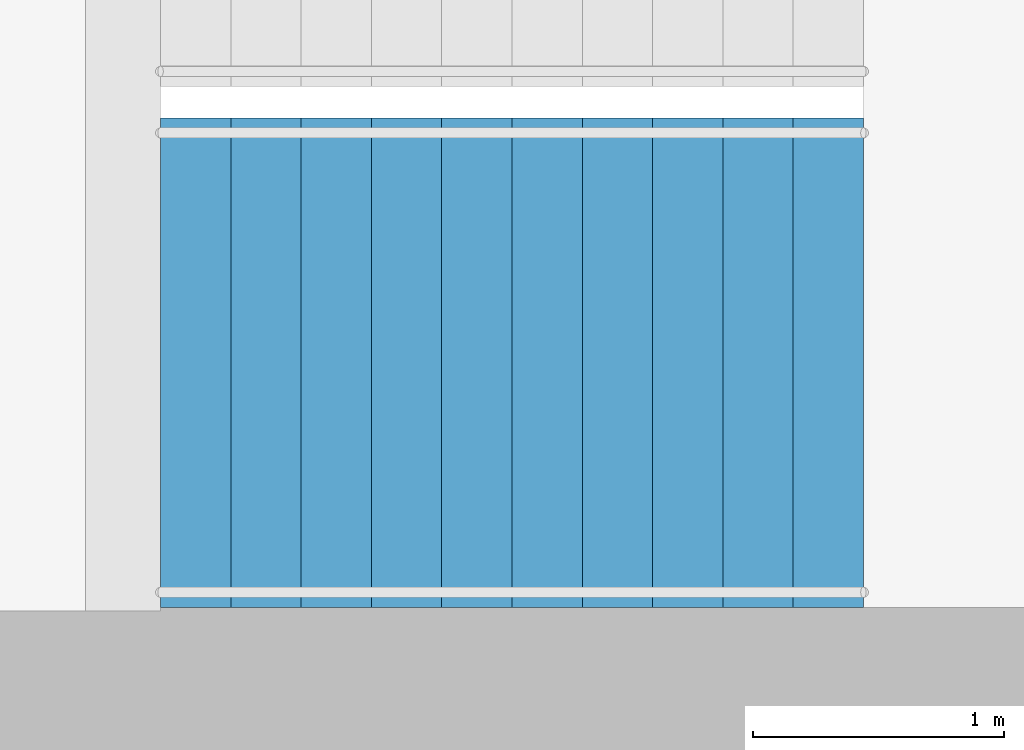
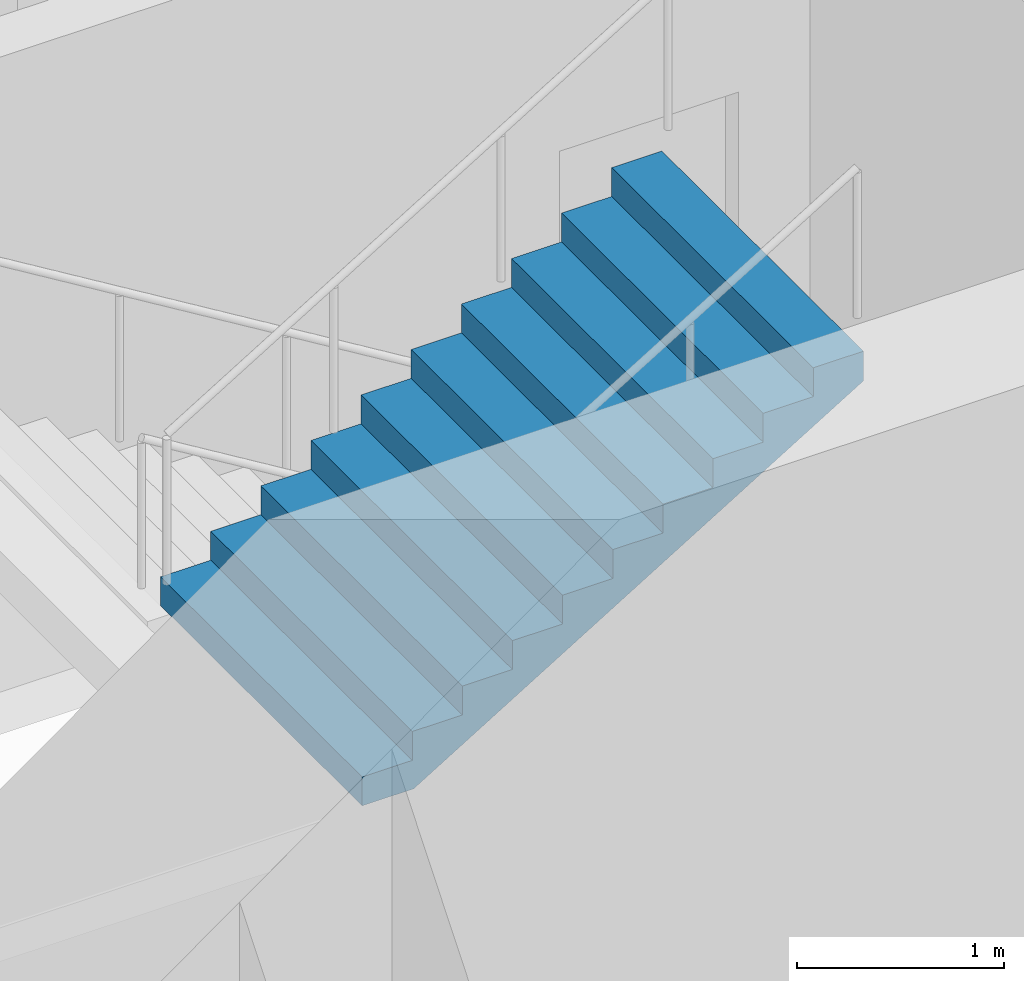
# One storey, part 21 of 23: 1 stair flight, 1 element without a shape of its own.
"""IFC4 building model written with IfcOpenShell, lengths in metres."""

from ifc_helpers import new_model, si_unit, direction, frame, origin, place, context, subcontext, project, spatial, triangles, material, type_object, element, aggregate, save


model = new_model("IFC4")

# Units and contexts
model_context = context("Model", 3, precision=1e-05, world=origin(), true_north=direction((0.0, 1.0)))
body_context = subcontext(model_context, "Body", "Model", "MODEL_VIEW")
ifc_project = project(units=[si_unit("LENGTHUNIT", "METRE"), si_unit("AREAUNIT", "SQUARE_METRE"), si_unit("VOLUMEUNIT", "CUBIC_METRE"), si_unit("PLANEANGLEUNIT", "RADIAN"), si_unit("MASSUNIT", "GRAM", prefix="KILO")], contexts=[model_context])

# Site, building, storey
site_placement = place(None, origin())
site = spatial("IfcSite", under=ifc_project, at=site_placement, CompositionType="ELEMENT")
building_placement = place(site_placement, origin())
building = spatial("IfcBuilding", under=site, at=building_placement, Name="Orbita Commons", CompositionType="ELEMENT")
storey_placement = place(building_placement, frame((0.0, 0.0, 174.85009765625)))
storey = spatial("IfcBuildingStorey", under=building, at=storey_placement, Name="L43", CompositionType="ELEMENT", Elevation=174.85009765625)

# Stair, stair flight
ifc_material_1 = material(Name="Precast concrete C40/50", Category="concrete")
stair_type = type_object("IfcStairType", Name="Exit stair S2 2 flights 11 risers 170", PredefinedType="HALF_TURN_STAIR", material=ifc_material_1)
stair_placement = place(storey_placement, origin())
stair = element("IfcStair", 1, at=stair_placement, inside=storey, type_object=stair_type, Name="Exit stair S2 L43", PredefinedType="HALF_TURN_STAIR")
ifc_material_2 = material(Name="Precast concrete C40/50", Category="concrete")
stair_flight_type = type_object("IfcStairFlightType", Name="Stair flight 11 risers 170 x 280", PredefinedType="STRAIGHT", material=ifc_material_2)
stair_flight_placement = place(storey_placement, frame((60.75, 27.199951171875, 1.875), z_axis=(0.0, 0.0, 1.0), x_axis=(1.0, 0.0, 0.0)))
stair_flight = element("IfcStairFlight", 2, at=stair_flight_placement, type_object=stair_flight_type, Name="S2 flight 2", NumberOfRisers=11, NumberOfTreads=10, PredefinedType="STRAIGHT", RiserHeight=0.170454545, TreadLength=0.28, context=body_context, shape_type="Tessellation", body=[
    triangles([(0.0, 0.974976, 0.0), (0.0, 0.974976, 0.021307), (0.0, 0.81248, 0.021307), (0.0, 0.81248, 0.0), (0.0, 0.649984, 0.021307), (0.0, 0.649984, 0.0), (0.0, 0.487488, 0.021307), (0.0, 0.487488, 0.0), (0.0, 0.324992, 0.021307), (0.0, 0.324992, 0.0), (0.0, 0.162496, 0.021307), (0.0, 0.162496, 0.0), (0.0, 0.0, 0.021307), (0.0, 0.0, 0.0), (0.0, -0.162496, 0.021307), (0.0, -0.162496, 0.0), (0.0, -0.324992, 0.021307), (0.0, -0.324992, 0.0), (0.0, -0.487488, 0.021307), (0.0, -0.487488, 0.0), (0.0, -0.649984, 0.021307), (0.0, -0.649984, 0.0), (0.0, -0.81248, 0.021307), (0.0, -0.81248, 0.0), (0.0, -0.974976, 0.021307), (0.0, -0.974976, 0.0), (0.0, 0.974976, 0.042614), (0.0, 0.81248, 0.042614), (0.0, 0.649984, 0.042614), (0.0, 0.487488, 0.042614), (0.0, 0.324992, 0.042614), (0.0, 0.162496, 0.042614), (0.0, 0.0, 0.042614), (0.0, -0.162496, 0.042614), (0.0, -0.324992, 0.042614), (0.0, -0.487488, 0.042614), (0.0, -0.649984, 0.042614), (0.0, -0.81248, 0.042614), (0.0, -0.974976, 0.042614), (0.0, 0.974976, 0.06392), (0.0, 0.81248, 0.06392), (0.0, 0.649984, 0.06392), (0.0, 0.487488, 0.06392), (0.0, 0.324992, 0.06392), (0.0, 0.162496, 0.06392), (0.0, 0.0, 0.06392), (0.0, -0.162496, 0.06392), (0.0, -0.324992, 0.06392), (0.0, -0.487488, 0.06392), (0.0, -0.649984, 0.06392), (0.0, -0.81248, 0.06392), (0.0, -0.974976, 0.06392), (0.0, 0.974976, 0.085227), (0.0, 0.81248, 0.085227), (0.0, 0.649984, 0.085227), (0.0, 0.487488, 0.085227), (0.0, 0.324992, 0.085227), (0.0, 0.162496, 0.085227), (0.0, 0.0, 0.085227), (0.0, -0.162496, 0.085227), (0.0, -0.324992, 0.085227), (0.0, -0.487488, 0.085227), (0.0, -0.649984, 0.085227), (0.0, -0.81248, 0.085227), (0.0, -0.974976, 0.085227), (0.0, 0.974976, 0.106534), (0.0, 0.81248, 0.106534), (0.0, 0.649984, 0.106534), (0.0, 0.487488, 0.106534), (0.0, 0.324992, 0.106534), (0.0, 0.162496, 0.106534), (0.0, 0.0, 0.106534), (0.0, -0.162496, 0.106534), (0.0, -0.324992, 0.106534), (0.0, -0.487488, 0.106534), (0.0, -0.649984, 0.106534), (0.0, -0.81248, 0.106534), (0.0, -0.974976, 0.106534), (0.0, 0.974976, 0.127841), (0.0, 0.81248, 0.127841), (0.0, 0.649984, 0.127841), (0.0, 0.487488, 0.127841), (0.0, 0.324992, 0.127841), (0.0, 0.162496, 0.127841), (0.0, 0.0, 0.127841), (0.0, -0.162496, 0.127841), (0.0, -0.324992, 0.127841), (0.0, -0.487488, 0.127841), (0.0, -0.649984, 0.127841), (0.0, -0.81248, 0.127841), (0.0, -0.974976, 0.127841), (0.0, 0.974976, 0.149148), (0.0, 0.81248, 0.149148), (0.0, 0.649984, 0.149148), (0.0, 0.487488, 0.149148), (0.0, 0.324992, 0.149148), (0.0, 0.162496, 0.149148), (0.0, 0.0, 0.149148), (0.0, -0.162496, 0.149148), (0.0, -0.324992, 0.149148), (0.0, -0.487488, 0.149148), (0.0, -0.649984, 0.149148), (0.0, -0.81248, 0.149148), (0.0, -0.974976, 0.149148), (0.0, 0.974976, 0.170455), (0.0, 0.81248, 0.170455), (0.0, 0.649984, 0.170455), (0.0, 0.487488, 0.170455), (0.0, 0.324992, 0.170455), (0.0, 0.162496, 0.170455), (0.0, 0.0, 0.170455), (0.0, -0.162496, 0.170455), (0.0, -0.324992, 0.170455), (0.0, -0.487488, 0.170455), (0.0, -0.649984, 0.170455), (0.0, -0.81248, 0.170455), (0.0, -0.974976, 0.170455), (0.28, 0.974976, 0.170455), (0.28, 0.81248, 0.170455), (0.28, 0.649984, 0.170455), (0.28, 0.487488, 0.170455), (0.28, 0.324992, 0.170455), (0.28, 0.162496, 0.170455), (0.28, 0.0, 0.170455), (0.28, -0.162496, 0.170455), (0.28, -0.324992, 0.170455), (0.28, -0.487488, 0.170455), (0.28, -0.649984, 0.170455), (0.28, -0.81248, 0.170455), (0.28, -0.974976, 0.170455), (0.28, 0.974976, 0.340909), (0.28, 0.81248, 0.340909), (0.28, 0.649984, 0.340909), (0.28, 0.487488, 0.340909), (0.28, 0.324992, 0.340909), (0.28, 0.162496, 0.340909), (0.28, 0.0, 0.340909), (0.28, -0.162496, 0.340909), (0.28, -0.324992, 0.340909), (0.28, -0.487488, 0.340909), (0.28, -0.649984, 0.340909), (0.28, -0.81248, 0.340909), (0.28, -0.974976, 0.340909), (0.56, 0.974976, 0.340909), (0.56, 0.81248, 0.340909), (0.56, 0.649984, 0.340909), (0.56, 0.487488, 0.340909), (0.56, 0.324992, 0.340909), (0.56, 0.162496, 0.340909), (0.56, 0.0, 0.340909), (0.56, -0.162496, 0.340909), (0.56, -0.324992, 0.340909), (0.56, -0.487488, 0.340909), (0.56, -0.649984, 0.340909), (0.56, -0.81248, 0.340909), (0.56, -0.974976, 0.340909), (0.56, 0.974976, 0.511364), (0.56, 0.81248, 0.511364), (0.56, 0.649984, 0.511364), (0.56, 0.487488, 0.511364), (0.56, 0.324992, 0.511364), (0.56, 0.162496, 0.511364), (0.56, 0.0, 0.511364), (0.56, -0.162496, 0.511364), (0.56, -0.324992, 0.511364), (0.56, -0.487488, 0.511364), (0.56, -0.649984, 0.511364), (0.56, -0.81248, 0.511364), (0.56, -0.974976, 0.511364), (0.84, 0.974976, 0.511364), (0.84, 0.81248, 0.511364), (0.84, 0.649984, 0.511364), (0.84, 0.487488, 0.511364), (0.84, 0.324992, 0.511364), (0.84, 0.162496, 0.511364), (0.84, 0.0, 0.511364), (0.84, -0.162496, 0.511364), (0.84, -0.324992, 0.511364), (0.84, -0.487488, 0.511364), (0.84, -0.649984, 0.511364), (0.84, -0.81248, 0.511364), (0.84, -0.974976, 0.511364), (0.84, 0.974976, 0.681818), (0.84, 0.81248, 0.681818), (0.84, 0.649984, 0.681818), (0.84, 0.487488, 0.681818), (0.84, 0.324992, 0.681818), (0.84, 0.162496, 0.681818), (0.84, 0.0, 0.681818), (0.84, -0.162496, 0.681818), (0.84, -0.324992, 0.681818), (0.84, -0.487488, 0.681818), (0.84, -0.649984, 0.681818), (0.84, -0.81248, 0.681818), (0.84, -0.974976, 0.681818), (1.12, 0.974976, 0.681818), (1.12, 0.81248, 0.681818), (1.12, 0.649984, 0.681818), (1.12, 0.487488, 0.681818), (1.12, 0.324992, 0.681818), (1.12, 0.162496, 0.681818), (1.12, 0.0, 0.681818), (1.12, -0.162496, 0.681818), (1.12, -0.324992, 0.681818), (1.12, -0.487488, 0.681818), (1.12, -0.649984, 0.681818), (1.12, -0.81248, 0.681818), (1.12, -0.974976, 0.681818), (1.12, 0.974976, 0.852273), (1.12, 0.81248, 0.852273), (1.12, 0.649984, 0.852273), (1.12, 0.487488, 0.852273), (1.12, 0.324992, 0.852273), (1.12, 0.162496, 0.852273), (1.12, 0.0, 0.852273), (1.12, -0.162496, 0.852273), (1.12, -0.324992, 0.852273), (1.12, -0.487488, 0.852273), (1.12, -0.649984, 0.852273), (1.12, -0.81248, 0.852273), (1.12, -0.974976, 0.852273), (1.4, 0.974976, 0.852273), (1.4, 0.81248, 0.852273), (1.4, 0.649984, 0.852273), (1.4, 0.487488, 0.852273), (1.4, 0.324992, 0.852273), (1.4, 0.162496, 0.852273), (1.4, 0.0, 0.852273), (1.4, -0.162496, 0.852273), (1.4, -0.324992, 0.852273), (1.4, -0.487488, 0.852273), (1.4, -0.649984, 0.852273), (1.4, -0.81248, 0.852273), (1.4, -0.974976, 0.852273), (1.4, 0.974976, 1.022727), (1.4, 0.81248, 1.022727), (1.4, 0.649984, 1.022727), (1.4, 0.487488, 1.022727), (1.4, 0.324992, 1.022727), (1.4, 0.162496, 1.022727), (1.4, 0.0, 1.022727), (1.4, -0.162496, 1.022727), (1.4, -0.324992, 1.022727), (1.4, -0.487488, 1.022727), (1.4, -0.649984, 1.022727), (1.4, -0.81248, 1.022727), (1.4, -0.974976, 1.022727), (1.68, 0.974976, 1.022727), (1.68, 0.81248, 1.022727), (1.68, 0.649984, 1.022727), (1.68, 0.487488, 1.022727), (1.68, 0.324992, 1.022727), (1.68, 0.162496, 1.022727), (1.68, 0.0, 1.022727), (1.68, -0.162496, 1.022727), (1.68, -0.324992, 1.022727), (1.68, -0.487488, 1.022727), (1.68, -0.649984, 1.022727), (1.68, -0.81248, 1.022727), (1.68, -0.974976, 1.022727), (1.68, 0.974976, 1.193182), (1.68, 0.81248, 1.193182), (1.68, 0.649984, 1.193182), (1.68, 0.487488, 1.193182), (1.68, 0.324992, 1.193182), (1.68, 0.162496, 1.193182), (1.68, 0.0, 1.193182), (1.68, -0.162496, 1.193182), (1.68, -0.324992, 1.193182), (1.68, -0.487488, 1.193182), (1.68, -0.649984, 1.193182), (1.68, -0.81248, 1.193182), (1.68, -0.974976, 1.193182), (1.96, 0.974976, 1.193182), (1.96, 0.81248, 1.193182), (1.96, 0.649984, 1.193182), (1.96, 0.487488, 1.193182), (1.96, 0.324992, 1.193182), (1.96, 0.162496, 1.193182), (1.96, 0.0, 1.193182), (1.96, -0.162496, 1.193182), (1.96, -0.324992, 1.193182), (1.96, -0.487488, 1.193182), (1.96, -0.649984, 1.193182), (1.96, -0.81248, 1.193182), (1.96, -0.974976, 1.193182), (1.96, 0.974976, 1.363636), (1.96, 0.81248, 1.363636), (1.96, 0.649984, 1.363636), (1.96, 0.487488, 1.363636), (1.96, 0.324992, 1.363636), (1.96, 0.162496, 1.363636), (1.96, 0.0, 1.363636), (1.96, -0.162496, 1.363636), (1.96, -0.324992, 1.363636), (1.96, -0.487488, 1.363636), (1.96, -0.649984, 1.363636), (1.96, -0.81248, 1.363636), (1.96, -0.974976, 1.363636), (2.24, 0.974976, 1.363636), (2.24, 0.81248, 1.363636), (2.24, 0.649984, 1.363636), (2.24, 0.487488, 1.363636), (2.24, 0.324992, 1.363636), (2.24, 0.162496, 1.363636), (2.24, 0.0, 1.363636), (2.24, -0.162496, 1.363636), (2.24, -0.324992, 1.363636), (2.24, -0.487488, 1.363636), (2.24, -0.649984, 1.363636), (2.24, -0.81248, 1.363636), (2.24, -0.974976, 1.363636), (2.24, 0.974976, 1.534091), (2.24, 0.81248, 1.534091), (2.24, 0.649984, 1.534091), (2.24, 0.487488, 1.534091), (2.24, 0.324992, 1.534091), (2.24, 0.162496, 1.534091), (2.24, 0.0, 1.534091), (2.24, -0.162496, 1.534091), (2.24, -0.324992, 1.534091), (2.24, -0.487488, 1.534091), (2.24, -0.649984, 1.534091), (2.24, -0.81248, 1.534091), (2.24, -0.974976, 1.534091), (2.52, 0.974976, 1.534091), (2.52, 0.81248, 1.534091), (2.52, 0.649984, 1.534091), (2.52, 0.487488, 1.534091), (2.52, 0.324992, 1.534091), (2.52, 0.162496, 1.534091), (2.52, 0.0, 1.534091), (2.52, -0.162496, 1.534091), (2.52, -0.324992, 1.534091), (2.52, -0.487488, 1.534091), (2.52, -0.649984, 1.534091), (2.52, -0.81248, 1.534091), (2.52, -0.974976, 1.534091), (2.52, 0.974976, 1.704545), (2.52, 0.81248, 1.704545), (2.52, 0.649984, 1.704545), (2.52, 0.487488, 1.704545), (2.52, 0.324992, 1.704545), (2.52, 0.162496, 1.704545), (2.52, 0.0, 1.704545), (2.52, -0.162496, 1.704545), (2.52, -0.324992, 1.704545), (2.52, -0.487488, 1.704545), (2.52, -0.649984, 1.704545), (2.52, -0.81248, 1.704545), (2.52, -0.974976, 1.704545), (2.8, 0.974976, 1.704545), (2.8, 0.81248, 1.704545), (2.8, 0.649984, 1.704545), (2.8, 0.487488, 1.704545), (2.8, 0.324992, 1.704545), (2.8, 0.162496, 1.704545), (2.8, 0.0, 1.704545), (2.8, -0.162496, 1.704545), (2.8, -0.324992, 1.704545), (2.8, -0.487488, 1.704545), (2.8, -0.649984, 1.704545), (2.8, -0.81248, 1.704545), (2.8, -0.974976, 1.704545), (2.8, 0.974976, 1.682609), (2.8, 0.81248, 1.682609), (2.8, 0.649984, 1.682609), (2.8, 0.487488, 1.682609), (2.8, 0.324992, 1.682609), (2.8, 0.162496, 1.682609), (2.8, 0.0, 1.682609), (2.8, -0.162496, 1.682609), (2.8, -0.324992, 1.682609), (2.8, -0.487488, 1.682609), (2.8, -0.649984, 1.682609), (2.8, -0.81248, 1.682609), (2.8, -0.974976, 1.682609), (2.8, 0.974976, 1.660672), (2.8, 0.81248, 1.660672), (2.8, 0.649984, 1.660672), (2.8, 0.487488, 1.660672), (2.8, 0.324992, 1.660672), (2.8, 0.162496, 1.660672), (2.8, 0.0, 1.660672), (2.8, -0.162496, 1.660672), (2.8, -0.324992, 1.660672), (2.8, -0.487488, 1.660672), (2.8, -0.649984, 1.660672), (2.8, -0.81248, 1.660672), (2.8, -0.974976, 1.660672), (2.8, 0.974976, 1.638735), (2.8, 0.81248, 1.638735), (2.8, 0.649984, 1.638735), (2.8, 0.487488, 1.638735), (2.8, 0.324992, 1.638735), (2.8, 0.162496, 1.638735), (2.8, 0.0, 1.638735), (2.8, -0.162496, 1.638735), (2.8, -0.324992, 1.638735), (2.8, -0.487488, 1.638735), (2.8, -0.649984, 1.638735), (2.8, -0.81248, 1.638735), (2.8, -0.974976, 1.638735), (2.8, 0.974976, 1.616798), (2.8, 0.81248, 1.616798), (2.8, 0.649984, 1.616798), (2.8, 0.487488, 1.616798), (2.8, 0.324992, 1.616798), (2.8, 0.162496, 1.616798), (2.8, 0.0, 1.616798), (2.8, -0.162496, 1.616798), (2.8, -0.324992, 1.616798), (2.8, -0.487488, 1.616798), (2.8, -0.649984, 1.616798), (2.8, -0.81248, 1.616798), (2.8, -0.974976, 1.616798), (2.8, 0.974976, 1.594861), (2.8, 0.81248, 1.594861), (2.8, 0.649984, 1.594861), (2.8, 0.487488, 1.594861), (2.8, 0.324992, 1.594861), (2.8, 0.162496, 1.594861), (2.8, 0.0, 1.594861), (2.8, -0.162496, 1.594861), (2.8, -0.324992, 1.594861), (2.8, -0.487488, 1.594861), (2.8, -0.649984, 1.594861), (2.8, -0.81248, 1.594861), (2.8, -0.974976, 1.594861), (2.8, 0.974976, 1.572925), (2.8, 0.81248, 1.572925), (2.8, 0.649984, 1.572925), (2.8, 0.487488, 1.572925), (2.8, 0.324992, 1.572925), (2.8, 0.162496, 1.572925), (2.8, 0.0, 1.572925), (2.8, -0.162496, 1.572925), (2.8, -0.324992, 1.572925), (2.8, -0.487488, 1.572925), (2.8, -0.649984, 1.572925), (2.8, -0.81248, 1.572925), (2.8, -0.974976, 1.572925), (2.8, 0.974976, 1.550988), (2.8, 0.81248, 1.550988), (2.8, 0.649984, 1.550988), (2.8, 0.487488, 1.550988), (2.8, 0.324992, 1.550988), (2.8, 0.162496, 1.550988), (2.8, 0.0, 1.550988), (2.8, -0.162496, 1.550988), (2.8, -0.324992, 1.550988), (2.8, -0.487488, 1.550988), (2.8, -0.649984, 1.550988), (2.8, -0.81248, 1.550988), (2.8, -0.974976, 1.550988), (2.8, 0.974976, 1.529051), (2.8, 0.81248, 1.529051), (2.8, 0.649984, 1.529051), (2.8, 0.487488, 1.529051), (2.8, 0.324992, 1.529051), (2.8, 0.162496, 1.529051), (2.8, 0.0, 1.529051), (2.8, -0.162496, 1.529051), (2.8, -0.324992, 1.529051), (2.8, -0.487488, 1.529051), (2.8, -0.649984, 1.529051), (2.8, -0.81248, 1.529051), (2.8, -0.974976, 1.529051), (0.288279, 0.974976, 0.0), (0.288279, 0.81248, 0.0), (0.288279, 0.649984, 0.0), (0.288279, 0.487488, 0.0), (0.288279, 0.324992, 0.0), (0.288279, 0.162496, 0.0), (0.288279, 0.0, 0.0), (0.288279, -0.162496, 0.0), (0.288279, -0.324992, 0.0), (0.288279, -0.487488, 0.0), (0.288279, -0.649984, 0.0), (0.288279, -0.81248, 0.0), (0.288279, -0.974976, 0.0)], [[3, 2, 1], [4, 3, 1], [5, 3, 4], [6, 5, 4], [7, 5, 6], [8, 7, 6], [9, 7, 8], [10, 9, 8], [11, 9, 10], [12, 11, 10], [13, 11, 12], [14, 13, 12], [15, 13, 14], [16, 15, 14], [17, 15, 16], [18, 17, 16], [19, 17, 18], [20, 19, 18], [21, 19, 20], [22, 21, 20], [23, 21, 22], [24, 23, 22], [25, 23, 24], [26, 25, 24], [28, 27, 2], [3, 28, 2], [29, 28, 3], [5, 29, 3], [30, 29, 5], [7, 30, 5], [31, 30, 7], [9, 31, 7], [32, 31, 9], [11, 32, 9], [33, 32, 11], [13, 33, 11], [34, 33, 13], [15, 34, 13], [35, 34, 15], [17, 35, 15], [36, 35, 17], [19, 36, 17], [37, 36, 19], [21, 37, 19], [38, 37, 21], [23, 38, 21], [39, 38, 23], [25, 39, 23], [41, 40, 27], [28, 41, 27], [42, 41, 28], [29, 42, 28], [43, 42, 29], [30, 43, 29], [44, 43, 30], [31, 44, 30], [45, 44, 31], [32, 45, 31], [46, 45, 32], [33, 46, 32], [47, 46, 33], [34, 47, 33], [48, 47, 34], [35, 48, 34], [49, 48, 35], [36, 49, 35], [50, 49, 36], [37, 50, 36], [51, 50, 37], [38, 51, 37], [52, 51, 38], [39, 52, 38], [54, 53, 40], [41, 54, 40], [55, 54, 41], [42, 55, 41], [56, 55, 42], [43, 56, 42], [57, 56, 43], [44, 57, 43], [58, 57, 44], [45, 58, 44], [59, 58, 45], [46, 59, 45], [60, 59, 46], [47, 60, 46], [61, 60, 47], [48, 61, 47], [62, 61, 48], [49, 62, 48], [63, 62, 49], [50, 63, 49], [64, 63, 50], [51, 64, 50], [65, 64, 51], [52, 65, 51], [67, 66, 53], [54, 67, 53], [68, 67, 54], [55, 68, 54], [69, 68, 55], [56, 69, 55], [70, 69, 56], [57, 70, 56], [71, 70, 57], [58, 71, 57], [72, 71, 58], [59, 72, 58], [73, 72, 59], [60, 73, 59], [74, 73, 60], [61, 74, 60], [75, 74, 61], [62, 75, 61], [76, 75, 62], [63, 76, 62], [77, 76, 63], [64, 77, 63], [78, 77, 64], [65, 78, 64], [80, 79, 66], [67, 80, 66], [81, 80, 67], [68, 81, 67], [82, 81, 68], [69, 82, 68], [83, 82, 69], [70, 83, 69], [84, 83, 70], [71, 84, 70], [85, 84, 71], [72, 85, 71], [86, 85, 72], [73, 86, 72], [87, 86, 73], [74, 87, 73], [88, 87, 74], [75, 88, 74], [89, 88, 75], [76, 89, 75], [90, 89, 76], [77, 90, 76], [91, 90, 77], [78, 91, 77], [93, 92, 79], [80, 93, 79], [94, 93, 80], [81, 94, 80], [95, 94, 81], [82, 95, 81], [96, 95, 82], [83, 96, 82], [97, 96, 83], [84, 97, 83], [98, 97, 84], [85, 98, 84], [99, 98, 85], [86, 99, 85], [100, 99, 86], [87, 100, 86], [101, 100, 87], [88, 101, 87], [102, 101, 88], [89, 102, 88], [103, 102, 89], [90, 103, 89], [104, 103, 90], [91, 104, 90], [106, 105, 92], [93, 106, 92], [107, 106, 93], [94, 107, 93], [108, 107, 94], [95, 108, 94], [109, 108, 95], [96, 109, 95], [110, 109, 96], [97, 110, 96], [111, 110, 97], [98, 111, 97], [112, 111, 98], [99, 112, 98], [113, 112, 99], [100, 113, 99], [114, 113, 100], [101, 114, 100], [115, 114, 101], [102, 115, 101], [116, 115, 102], [103, 116, 102], [117, 116, 103], [104, 117, 103], [119, 118, 105], [106, 119, 105], [120, 119, 106], [107, 120, 106], [121, 120, 107], [108, 121, 107], [122, 121, 108], [109, 122, 108], [123, 122, 109], [110, 123, 109], [124, 123, 110], [111, 124, 110], [125, 124, 111], [112, 125, 111], [126, 125, 112], [113, 126, 112], [127, 126, 113], [114, 127, 113], [128, 127, 114], [115, 128, 114], [129, 128, 115], [116, 129, 115], [130, 129, 116], [117, 130, 116], [132, 131, 118], [119, 132, 118], [133, 132, 119], [120, 133, 119], [134, 133, 120], [121, 134, 120], [135, 134, 121], [122, 135, 121], [136, 135, 122], [123, 136, 122], [137, 136, 123], [124, 137, 123], [138, 137, 124], [125, 138, 124], [139, 138, 125], [126, 139, 125], [140, 139, 126], [127, 140, 126], [141, 140, 127], [128, 141, 127], [142, 141, 128], [129, 142, 128], [143, 142, 129], [130, 143, 129], [145, 144, 131], [132, 145, 131], [146, 145, 132], [133, 146, 132], [147, 146, 133], [134, 147, 133], [148, 147, 134], [135, 148, 134], [149, 148, 135], [136, 149, 135], [150, 149, 136], [137, 150, 136], [151, 150, 137], [138, 151, 137], [152, 151, 138], [139, 152, 138], [153, 152, 139], [140, 153, 139], [154, 153, 140], [141, 154, 140], [155, 154, 141], [142, 155, 141], [156, 155, 142], [143, 156, 142], [158, 157, 144], [145, 158, 144], [159, 158, 145], [146, 159, 145], [160, 159, 146], [147, 160, 146], [161, 160, 147], [148, 161, 147], [162, 161, 148], [149, 162, 148], [163, 162, 149], [150, 163, 149], [164, 163, 150], [151, 164, 150], [165, 164, 151], [152, 165, 151], [166, 165, 152], [153, 166, 152], [167, 166, 153], [154, 167, 153], [168, 167, 154], [155, 168, 154], [169, 168, 155], [156, 169, 155], [171, 170, 157], [158, 171, 157], [172, 171, 158], [159, 172, 158], [173, 172, 159], [160, 173, 159], [174, 173, 160], [161, 174, 160], [175, 174, 161], [162, 175, 161], [176, 175, 162], [163, 176, 162], [177, 176, 163], [164, 177, 163], [178, 177, 164], [165, 178, 164], [179, 178, 165], [166, 179, 165], [180, 179, 166], [167, 180, 166], [181, 180, 167], [168, 181, 167], [182, 181, 168], [169, 182, 168], [184, 183, 170], [171, 184, 170], [185, 184, 171], [172, 185, 171], [186, 185, 172], [173, 186, 172], [187, 186, 173], [174, 187, 173], [188, 187, 174], [175, 188, 174], [189, 188, 175], [176, 189, 175], [190, 189, 176], [177, 190, 176], [191, 190, 177], [178, 191, 177], [192, 191, 178], [179, 192, 178], [193, 192, 179], [180, 193, 179], [194, 193, 180], [181, 194, 180], [195, 194, 181], [182, 195, 181], [197, 196, 183], [184, 197, 183], [198, 197, 184], [185, 198, 184], [199, 198, 185], [186, 199, 185], [200, 199, 186], [187, 200, 186], [201, 200, 187], [188, 201, 187], [202, 201, 188], [189, 202, 188], [203, 202, 189], [190, 203, 189], [204, 203, 190], [191, 204, 190], [205, 204, 191], [192, 205, 191], [206, 205, 192], [193, 206, 192], [207, 206, 193], [194, 207, 193], [208, 207, 194], [195, 208, 194], [210, 209, 196], [197, 210, 196], [211, 210, 197], [198, 211, 197], [212, 211, 198], [199, 212, 198], [213, 212, 199], [200, 213, 199], [214, 213, 200], [201, 214, 200], [215, 214, 201], [202, 215, 201], [216, 215, 202], [203, 216, 202], [217, 216, 203], [204, 217, 203], [218, 217, 204], [205, 218, 204], [219, 218, 205], [206, 219, 205], [220, 219, 206], [207, 220, 206], [221, 220, 207], [208, 221, 207], [223, 222, 209], [210, 223, 209], [224, 223, 210], [211, 224, 210], [225, 224, 211], [212, 225, 211], [226, 225, 212], [213, 226, 212], [227, 226, 213], [214, 227, 213], [228, 227, 214], [215, 228, 214], [229, 228, 215], [216, 229, 215], [230, 229, 216], [217, 230, 216], [231, 230, 217], [218, 231, 217], [232, 231, 218], [219, 232, 218], [233, 232, 219], [220, 233, 219], [234, 233, 220], [221, 234, 220], [236, 235, 222], [223, 236, 222], [237, 236, 223], [224, 237, 223], [238, 237, 224], [225, 238, 224], [239, 238, 225], [226, 239, 225], [240, 239, 226], [227, 240, 226], [241, 240, 227], [228, 241, 227], [242, 241, 228], [229, 242, 228], [243, 242, 229], [230, 243, 229], [244, 243, 230], [231, 244, 230], [245, 244, 231], [232, 245, 231], [246, 245, 232], [233, 246, 232], [247, 246, 233], [234, 247, 233], [249, 248, 235], [236, 249, 235], [250, 249, 236], [237, 250, 236], [251, 250, 237], [238, 251, 237], [252, 251, 238], [239, 252, 238], [253, 252, 239], [240, 253, 239], [254, 253, 240], [241, 254, 240], [255, 254, 241], [242, 255, 241], [256, 255, 242], [243, 256, 242], [257, 256, 243], [244, 257, 243], [258, 257, 244], [245, 258, 244], [259, 258, 245], [246, 259, 245], [260, 259, 246], [247, 260, 246], [262, 261, 248], [249, 262, 248], [263, 262, 249], [250, 263, 249], [264, 263, 250], [251, 264, 250], [265, 264, 251], [252, 265, 251], [266, 265, 252], [253, 266, 252], [267, 266, 253], [254, 267, 253], [268, 267, 254], [255, 268, 254], [269, 268, 255], [256, 269, 255], [270, 269, 256], [257, 270, 256], [271, 270, 257], [258, 271, 257], [272, 271, 258], [259, 272, 258], [273, 272, 259], [260, 273, 259], [275, 274, 261], [262, 275, 261], [276, 275, 262], [263, 276, 262], [277, 276, 263], [264, 277, 263], [278, 277, 264], [265, 278, 264], [279, 278, 265], [266, 279, 265], [280, 279, 266], [267, 280, 266], [281, 280, 267], [268, 281, 267], [282, 281, 268], [269, 282, 268], [283, 282, 269], [270, 283, 269], [284, 283, 270], [271, 284, 270], [285, 284, 271], [272, 285, 271], [286, 285, 272], [273, 286, 272], [288, 287, 274], [275, 288, 274], [289, 288, 275], [276, 289, 275], [290, 289, 276], [277, 290, 276], [291, 290, 277], [278, 291, 277], [292, 291, 278], [279, 292, 278], [293, 292, 279], [280, 293, 279], [294, 293, 280], [281, 294, 280], [295, 294, 281], [282, 295, 281], [296, 295, 282], [283, 296, 282], [297, 296, 283], [284, 297, 283], [298, 297, 284], [285, 298, 284], [299, 298, 285], [286, 299, 285], [301, 300, 287], [288, 301, 287], [302, 301, 288], [289, 302, 288], [303, 302, 289], [290, 303, 289], [304, 303, 290], [291, 304, 290], [305, 304, 291], [292, 305, 291], [306, 305, 292], [293, 306, 292], [307, 306, 293], [294, 307, 293], [308, 307, 294], [295, 308, 294], [309, 308, 295], [296, 309, 295], [310, 309, 296], [297, 310, 296], [311, 310, 297], [298, 311, 297], [312, 311, 298], [299, 312, 298], [314, 313, 300], [301, 314, 300], [315, 314, 301], [302, 315, 301], [316, 315, 302], [303, 316, 302], [317, 316, 303], [304, 317, 303], [318, 317, 304], [305, 318, 304], [319, 318, 305], [306, 319, 305], [320, 319, 306], [307, 320, 306], [321, 320, 307], [308, 321, 307], [322, 321, 308], [309, 322, 308], [323, 322, 309], [310, 323, 309], [324, 323, 310], [311, 324, 310], [325, 324, 311], [312, 325, 311], [327, 326, 313], [314, 327, 313], [328, 327, 314], [315, 328, 314], [329, 328, 315], [316, 329, 315], [330, 329, 316], [317, 330, 316], [331, 330, 317], [318, 331, 317], [332, 331, 318], [319, 332, 318], [333, 332, 319], [320, 333, 319], [334, 333, 320], [321, 334, 320], [335, 334, 321], [322, 335, 321], [336, 335, 322], [323, 336, 322], [337, 336, 323], [324, 337, 323], [338, 337, 324], [325, 338, 324], [340, 339, 326], [327, 340, 326], [341, 340, 327], [328, 341, 327], [342, 341, 328], [329, 342, 328], [343, 342, 329], [330, 343, 329], [344, 343, 330], [331, 344, 330], [345, 344, 331], [332, 345, 331], [346, 345, 332], [333, 346, 332], [347, 346, 333], [334, 347, 333], [348, 347, 334], [335, 348, 334], [349, 348, 335], [336, 349, 335], [350, 349, 336], [337, 350, 336], [351, 350, 337], [338, 351, 337], [353, 352, 339], [340, 353, 339], [354, 353, 340], [341, 354, 340], [355, 354, 341], [342, 355, 341], [356, 355, 342], [343, 356, 342], [357, 356, 343], [344, 357, 343], [358, 357, 344], [345, 358, 344], [359, 358, 345], [346, 359, 345], [360, 359, 346], [347, 360, 346], [361, 360, 347], [348, 361, 347], [362, 361, 348], [349, 362, 348], [363, 362, 349], [350, 363, 349], [364, 363, 350], [351, 364, 350], [366, 365, 352], [353, 366, 352], [367, 366, 353], [354, 367, 353], [368, 367, 354], [355, 368, 354], [369, 368, 355], [356, 369, 355], [370, 369, 356], [357, 370, 356], [371, 370, 357], [358, 371, 357], [372, 371, 358], [359, 372, 358], [373, 372, 359], [360, 373, 359], [374, 373, 360], [361, 374, 360], [375, 374, 361], [362, 375, 361], [376, 375, 362], [363, 376, 362], [377, 376, 363], [364, 377, 363], [379, 378, 365], [366, 379, 365], [380, 379, 366], [367, 380, 366], [381, 380, 367], [368, 381, 367], [382, 381, 368], [369, 382, 368], [383, 382, 369], [370, 383, 369], [384, 383, 370], [371, 384, 370], [385, 384, 371], [372, 385, 371], [386, 385, 372], [373, 386, 372], [387, 386, 373], [374, 387, 373], [388, 387, 374], [375, 388, 374], [389, 388, 375], [376, 389, 375], [390, 389, 376], [377, 390, 376], [392, 391, 378], [379, 392, 378], [393, 392, 379], [380, 393, 379], [394, 393, 380], [381, 394, 380], [395, 394, 381], [382, 395, 381], [396, 395, 382], [383, 396, 382], [397, 396, 383], [384, 397, 383], [398, 397, 384], [385, 398, 384], [399, 398, 385], [386, 399, 385], [400, 399, 386], [387, 400, 386], [401, 400, 387], [388, 401, 387], [402, 401, 388], [389, 402, 388], [403, 402, 389], [390, 403, 389], [405, 404, 391], [392, 405, 391], [406, 405, 392], [393, 406, 392], [407, 406, 393], [394, 407, 393], [408, 407, 394], [395, 408, 394], [409, 408, 395], [396, 409, 395], [410, 409, 396], [397, 410, 396], [411, 410, 397], [398, 411, 397], [412, 411, 398], [399, 412, 398], [413, 412, 399], [400, 413, 399], [414, 413, 400], [401, 414, 400], [415, 414, 401], [402, 415, 401], [416, 415, 402], [403, 416, 402], [418, 417, 404], [405, 418, 404], [419, 418, 405], [406, 419, 405], [420, 419, 406], [407, 420, 406], [421, 420, 407], [408, 421, 407], [422, 421, 408], [409, 422, 408], [423, 422, 409], [410, 423, 409], [424, 423, 410], [411, 424, 410], [425, 424, 411], [412, 425, 411], [426, 425, 412], [413, 426, 412], [427, 426, 413], [414, 427, 413], [428, 427, 414], [415, 428, 414], [429, 428, 415], [416, 429, 415], [431, 430, 417], [418, 431, 417], [432, 431, 418], [419, 432, 418], [433, 432, 419], [420, 433, 419], [434, 433, 420], [421, 434, 420], [435, 434, 421], [422, 435, 421], [436, 435, 422], [423, 436, 422], [437, 436, 423], [424, 437, 423], [438, 437, 424], [425, 438, 424], [439, 438, 425], [426, 439, 425], [440, 439, 426], [427, 440, 426], [441, 440, 427], [428, 441, 427], [442, 441, 428], [429, 442, 428], [444, 443, 430], [431, 444, 430], [445, 444, 431], [432, 445, 431], [446, 445, 432], [433, 446, 432], [447, 446, 433], [434, 447, 433], [448, 447, 434], [435, 448, 434], [449, 448, 435], [436, 449, 435], [450, 449, 436], [437, 450, 436], [451, 450, 437], [438, 451, 437], [452, 451, 438], [439, 452, 438], [453, 452, 439], [440, 453, 439], [454, 453, 440], [441, 454, 440], [455, 454, 441], [442, 455, 441], [457, 456, 443], [444, 457, 443], [458, 457, 444], [445, 458, 444], [459, 458, 445], [446, 459, 445], [460, 459, 446], [447, 460, 446], [461, 460, 447], [448, 461, 447], [462, 461, 448], [449, 462, 448], [463, 462, 449], [450, 463, 449], [464, 463, 450], [451, 464, 450], [465, 464, 451], [452, 465, 451], [466, 465, 452], [453, 466, 452], [467, 466, 453], [454, 467, 453], [468, 467, 454], [455, 468, 454], [470, 469, 456], [457, 470, 456], [471, 470, 457], [458, 471, 457], [472, 471, 458], [459, 472, 458], [473, 472, 459], [460, 473, 459], [474, 473, 460], [461, 474, 460], [475, 474, 461], [462, 475, 461], [476, 475, 462], [463, 476, 462], [477, 476, 463], [464, 477, 463], [478, 477, 464], [465, 478, 464], [479, 478, 465], [466, 479, 465], [480, 479, 466], [467, 480, 466], [481, 480, 467], [468, 481, 467], [4, 1, 469], [470, 4, 469], [6, 4, 470], [471, 6, 470], [8, 6, 471], [472, 8, 471], [10, 8, 472], [473, 10, 472], [12, 10, 473], [474, 12, 473], [14, 12, 474], [475, 14, 474], [16, 14, 475], [476, 16, 475], [18, 16, 476], [477, 18, 476], [20, 18, 477], [478, 20, 477], [22, 20, 478], [479, 22, 478], [24, 22, 479], [480, 24, 479], [26, 24, 480], [481, 26, 480], [456, 469, 1], [26, 481, 468], [443, 456, 1], [26, 468, 455], [430, 443, 1], [26, 455, 442], [417, 430, 1], [26, 442, 429], [404, 417, 1], [26, 429, 416], [391, 404, 1], [26, 416, 403], [378, 391, 1], [26, 403, 390], [365, 378, 1], [26, 390, 377], [339, 352, 365], [377, 364, 351], [326, 339, 365], [377, 351, 338], [300, 313, 326], [338, 325, 312], [300, 326, 365], [377, 338, 312], [274, 287, 300], [312, 299, 286], [274, 300, 365], [377, 312, 286], [248, 261, 274], [286, 273, 260], [248, 274, 365], [377, 286, 260], [222, 235, 248], [260, 247, 234], [222, 248, 365], [377, 260, 234], [196, 209, 222], [234, 221, 208], [196, 222, 365], [377, 234, 208], [170, 183, 196], [208, 195, 182], [170, 196, 365], [377, 208, 182], [144, 157, 170], [182, 169, 156], [144, 170, 365], [377, 182, 156], [118, 131, 144], [156, 143, 130], [118, 144, 365], [377, 156, 130], [118, 365, 1], [26, 377, 130], [92, 105, 118], [130, 117, 104], [79, 92, 118], [130, 104, 91], [66, 79, 118], [130, 91, 78], [53, 66, 118], [130, 78, 65], [40, 53, 118], [130, 65, 52], [27, 40, 118], [130, 52, 39], [2, 27, 118], [130, 39, 25], [1, 2, 118], [130, 25, 26]], closed=True),
])
aggregate(stair, [stair_flight])

save(model, "model.ifc")
